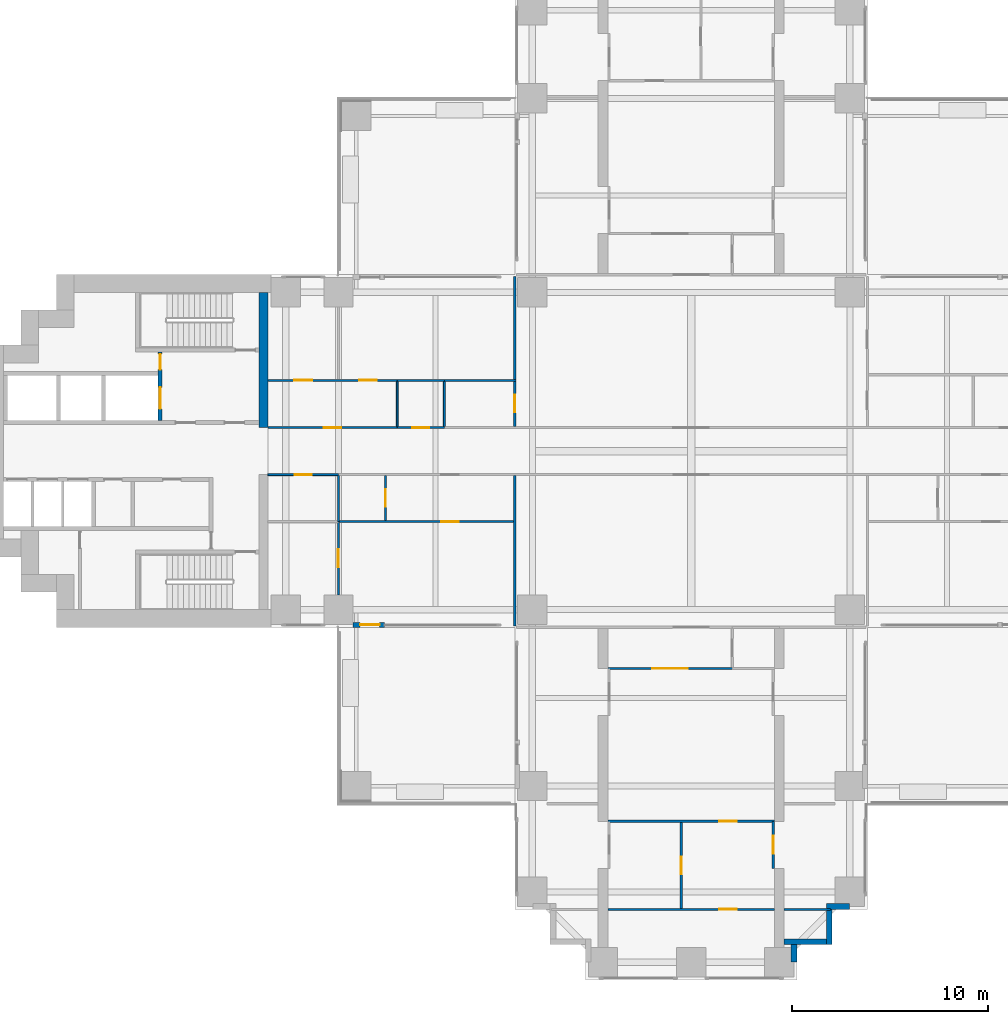
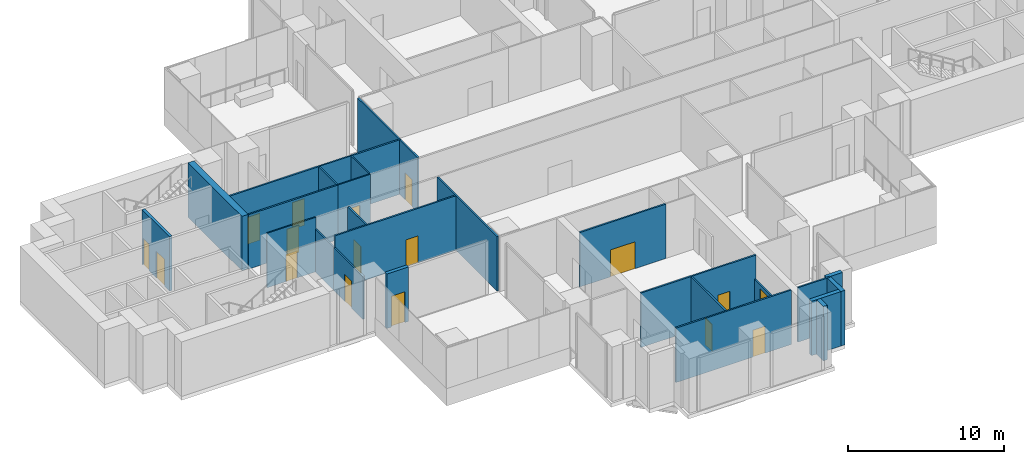
# One storey, part 8 of 15: 27 walls, 17 doors, 17 openings.
"""IFC4 building model written with IfcOpenShell, lengths in metres."""

import ifcopenshell
import ifcopenshell.guid

model = None  # the IFC model being written
_history = None  # IfcOwnerHistory: only IFC2X3 demands one
_inside = {}  # id of a spatial element -> (the spatial element, [elements in it])
_under = {}  # id of a project, library or spatial element -> (it, [spatial elements below it])
_declared = {}  # id of a project -> (the project, [libraries it declares])
_typed = {}  # id of a type object -> (the type object, [elements of that type])
_made_of = {}  # id of a material, layer set ... -> (it, [elements and type objects made of it])


def new_model(schema):
    """Start an empty IFC model of exactly this schema.

    Asked for "IFC4X3", IfcOpenShell would pick the latest addendum, in which some entities
    have other attributes; the version numbers below select the first issue.
    IFC2X3 requires an IfcOwnerHistory on every rooted entity: one is made here for all.
    """
    global model, _history
    if schema == "IFC4X3":
        model = ifcopenshell.file(schema_version=(4, 3, 0, 0))
    else:
        model = ifcopenshell.file(schema=schema)
    _inside.clear()
    _under.clear()
    _declared.clear()
    _typed.clear()
    _made_of.clear()
    _history = None
    if model.schema == "IFC2X3":
        org = make("IfcOrganization", Name="unknown")
        user = make(
            "IfcPersonAndOrganization",
            ThePerson=make("IfcPerson", FamilyName="unknown"),
            TheOrganization=org,
        )
        app = make(
            "IfcApplication",
            ApplicationDeveloper=org,
            Version="unknown",
            ApplicationFullName="unknown",
            ApplicationIdentifier="unknown",
        )
        _history = make(
            "IfcOwnerHistory",
            OwningUser=user,
            OwningApplication=app,
            ChangeAction="ADDED",
            CreationDate=0,
        )
    return model


def make(cls, **values):
    """One entity of the class cls with the attributes given. An attribute that is None is left unset."""
    return model.create_entity(
        cls, **{name: value for name, value in values.items() if value is not None}
    )


def rooted(cls, **values):
    """An entity with a GlobalId (a new one), such as an element, a storey or a relation."""
    return make(cls, GlobalId=ifcopenshell.guid.new(), OwnerHistory=_history, **values)


def si_unit(unit_type, name, prefix=None):
    """IfcSIUnit, for example si_unit("LENGTHUNIT", "METRE", prefix="MILLI")."""
    return make("IfcSIUnit", UnitType=unit_type, Prefix=prefix, Name=name)


def assignment(units):
    """IfcUnitAssignment: the units of a project."""
    return None if units is None else make("IfcUnitAssignment", Units=units)


def point(xyz):
    """IfcCartesianPoint."""
    return None if xyz is None else make("IfcCartesianPoint", Coordinates=xyz)


def direction(xyz):
    """IfcDirection."""
    return None if xyz is None else make("IfcDirection", DirectionRatios=xyz)


def frame(location, z_axis=None, x_axis=None):
    """IfcAxis2Placement3D, a coordinate frame: its origin and axes. An axis left out is left unset."""
    return make(
        "IfcAxis2Placement3D",
        Location=point(location),
        Axis=direction(z_axis),
        RefDirection=direction(x_axis),
    )


def frame_2d(location, x_axis=None):
    """IfcAxis2Placement2D, a coordinate frame in the plane: its origin and x axis."""
    return make(
        "IfcAxis2Placement2D", Location=point(location), RefDirection=direction(x_axis)
    )


def origin():
    """The frame at (0, 0, 0) with its axes left unset."""
    return frame((0.0, 0.0, 0.0))


def place(relative_to, where):
    """IfcLocalPlacement: puts the frame where relative to a parent placement (None: the world)."""
    return make(
        "IfcLocalPlacement", PlacementRelTo=relative_to, RelativePlacement=where
    )


def context(
    kind, dimensions, precision=None, world=None, true_north=None, identifier=None
):
    """IfcGeometricRepresentationContext, for example the 3D "Model" context."""
    return make(
        "IfcGeometricRepresentationContext",
        ContextIdentifier=identifier,
        ContextType=kind,
        CoordinateSpaceDimension=dimensions,
        Precision=precision,
        WorldCoordinateSystem=world,
        TrueNorth=true_north,
    )


def subcontext(parent, identifier, kind, view, scale=None):
    """IfcGeometricRepresentationSubContext, for example "Body" below "Model"."""
    return make(
        "IfcGeometricRepresentationSubContext",
        ContextIdentifier=identifier,
        ContextType=kind,
        ParentContext=parent,
        TargetScale=scale,
        TargetView=view,
    )


def project(units=None, contexts=None):
    """IfcProject with its units and contexts."""
    return rooted(
        "IfcProject",
        Name="project",
        RepresentationContexts=contexts,
        UnitsInContext=assignment(units),
    )


def spatial(cls, under=None, at=None, **own):
    """A site, building, storey or space (cls), placed at a placement, below another one or the project."""
    s = rooted(cls, ObjectPlacement=at, **own)
    if under is not None:
        _under.setdefault(under.id(), (under, []))[1].append(s)
    return s


def profile(cls, at=None, kind="AREA", **sizes):
    """A parametric profile (cls). Its sizes go by their IFC names, for example OverallWidth=200.0."""
    return make(cls, ProfileType=kind, Position=at, **sizes)


def rectangle(**sizes):
    """IfcRectangleProfileDef."""
    return profile("IfcRectangleProfileDef", **sizes)


def extrude(swept, where, along, depth):
    """IfcExtrudedAreaSolid: the profile swept, set in the frame where, extruded along a direction by depth."""
    return make(
        "IfcExtrudedAreaSolid",
        SweptArea=swept,
        Position=where,
        ExtrudedDirection=direction(along),
        Depth=depth,
    )


def shape(context_of_items, identifier, shape_type, items):
    """IfcShapeRepresentation: the items that make up one representation, for example the "Body"."""
    return make(
        "IfcShapeRepresentation",
        ContextOfItems=context_of_items,
        RepresentationIdentifier=identifier,
        RepresentationType=shape_type,
        Items=items,
    )


def material(Name=None, Category=None):
    """IfcMaterial."""
    return make("IfcMaterial", Name=Name, Category=Category)


def layer(
    of_material, thickness, ventilated=None, Name=None, Category=None, Priority=None
):
    """IfcMaterialLayer: one layer of a wall or slab, of a material (None: an air gap)."""
    return make(
        "IfcMaterialLayer",
        Material=of_material,
        LayerThickness=thickness,
        IsVentilated=ventilated,
        Name=Name,
        Category=Category,
        Priority=Priority,
    )


def layer_set(layers, Name=None):
    """IfcMaterialLayerSet."""
    return make("IfcMaterialLayerSet", MaterialLayers=layers, LayerSetName=Name)


def made_of(thing, what):
    """Note that an element or type object is made of a material, layer set ...; save() writes the relation."""
    if what is not None:
        _made_of.setdefault(what.id(), (what, []))[1].append(thing)
    return thing


def type_object(cls, material=None, **own):
    """A type object (cls), such as IfcWallType, which elements share."""
    return made_of(rooted(cls, **own), material)


def element(
    cls,
    number,
    at=None,
    inside=None,
    cuts=None,
    type_object=None,
    material=None,
    context=None,
    identifier="Body",
    shape_type=None,
    held_by="IfcProductDefinitionShape",
    body=None,
    shapes=None,
    **own,
):
    """One element of the class cls, such as IfcWall. Its Tag is "e" and its number.

    at: its placement. inside: the storey or other place that contains it. cuts: it is an
    opening in that element (IfcRelVoidsElement). A single representation is given by context,
    identifier, shape_type and body (its items); several are given by shapes. held_by: the class
    of the entity that holds the representations. save() writes the other relations.
    """
    e = rooted(cls, Tag="e%d" % number, ObjectPlacement=at, **own)
    if body is not None:
        shapes = [shape(context, identifier, shape_type, body)]
    if shapes is not None:
        e.Representation = make(held_by, Representations=shapes)
    if inside is not None:
        _inside.setdefault(inside.id(), (inside, []))[1].append(e)
    if cuts is not None:
        rooted(
            "IfcRelVoidsElement", RelatingBuildingElement=cuts, RelatedOpeningElement=e
        )
    if type_object is not None:
        _typed.setdefault(type_object.id(), (type_object, []))[1].append(e)
    return made_of(e, material)


def fill(opening, filler):
    """IfcRelFillsElement: the door or window that sits in an opening."""
    return rooted(
        "IfcRelFillsElement",
        RelatingOpeningElement=opening,
        RelatedBuildingElement=filler,
    )


def aggregate(whole, parts):
    """IfcRelAggregates: a whole, such as a stair, and the parts it consists of."""
    return rooted("IfcRelAggregates", RelatingObject=whole, RelatedObjects=parts)


def save(model, path):
    """Write the relations noted so far, then the file.

    IfcRelAggregates (storeys below a building ...), IfcRelContainedInSpatialStructure (elements
    in a storey), IfcRelDefinesByType, IfcRelAssociatesMaterial and IfcRelDeclares: one each for
    every whole, place, type object, material and project.
    """
    for whole, parts in _under.values():
        aggregate(whole, parts)
    for where, things in _inside.values():
        rooted(
            "IfcRelContainedInSpatialStructure",
            RelatedElements=things,
            RelatingStructure=where,
        )
    for kind, things in _typed.values():
        rooted("IfcRelDefinesByType", RelatedObjects=things, RelatingType=kind)
    for what, things in _made_of.values():
        rooted("IfcRelAssociatesMaterial", RelatedObjects=things, RelatingMaterial=what)
    for by, libraries in _declared.values():
        rooted("IfcRelDeclares", RelatingContext=by, RelatedDefinitions=libraries)
    model.write(path)


model = new_model("IFC4")

# Units and contexts
model_context = context("Model", 3, precision=1e-05, world=origin(), true_north=direction((0.0, 1.0)))
body_context = subcontext(model_context, "Body", "Model", "MODEL_VIEW")
ifc_project = project(units=[si_unit("LENGTHUNIT", "METRE"), si_unit("AREAUNIT", "SQUARE_METRE"), si_unit("VOLUMEUNIT", "CUBIC_METRE"), si_unit("PLANEANGLEUNIT", "RADIAN"), si_unit("MASSUNIT", "GRAM", prefix="KILO")], contexts=[model_context])

# Site, building, storey
site_placement = place(None, origin())
site = spatial("IfcSite", under=ifc_project, at=site_placement, CompositionType="ELEMENT")
building_placement = place(site_placement, origin())
building = spatial("IfcBuilding", under=site, at=building_placement, Name="Perihelion Cross Residences", CompositionType="ELEMENT")
storey_placement = place(building_placement, frame((0.0, 0.0, 32.0)))
storey = spatial("IfcBuildingStorey", under=building, at=storey_placement, Name="L04", CompositionType="ELEMENT", Elevation=32.0)

# Wall, opening, door
ifc_material_1 = material(Name="Concrete C30/37, bronze-clad", Category="concrete")
ifc_layer_1 = layer(ifc_material_1, 0.25)
ifc_layer_set_1 = layer_set([ifc_layer_1], Name="Bronze-clad pier wall 250")
wall_type_1 = type_object("IfcWallType", Name="Bronze-clad pier wall 250", PredefinedType="SOLIDWALL", material=ifc_layer_set_1)
wall_1_placement = place(storey_placement, frame((-17.25, -8.875, 0.0), z_axis=(0.0, 0.0, 1.0), x_axis=(1.0, 0.0, 0.0)))
wall_1 = element("IfcWall", 1, at=wall_1_placement, inside=storey, type_object=wall_type_1, Name="Wall FW1 L04 west side south bay 2 pier", PredefinedType="SOLIDWALL", context=body_context, shape_type="SweptSolid", body=[
    extrude(rectangle(XDim=1.60009765625, YDim=0.25, at=frame_2d((0.800048828125, 0.0))), origin(), (0.0, 0.0, 1.0), 4.25),
])
opening_1_placement = place(wall_1_placement, frame((0.35009765625, 0.0, 0.0)))
opening_1 = element("IfcOpeningElement", 2, at=opening_1_placement, cuts=wall_1, Name="Opening L04.E05", PredefinedType="OPENING", context=body_context, shape_type="SweptSolid", body=[
    extrude(rectangle(XDim=1.0, YDim=2.39990234375, at=frame_2d((0.5, 1.199951171875))), frame((0.0, 0.135009765625, 0.0), z_axis=(0.0, -1.0, 0.0), x_axis=(1.0, 0.0, 0.0)), (0.0, 0.0, 1.0), 0.27001953125),
])
ifc_material_2 = material(Name="Bronze anodised aluminium, glazed", Category="aluminium")
door_type_1 = type_object("IfcDoorType", Name="Balcony door 1000 x 2400", OperationType="NOTDEFINED", PredefinedType="DOOR", material=ifc_material_2)
door_1_placement = place(opening_1_placement, origin())
door_1 = element("IfcDoor", 3, at=door_1_placement, inside=storey, type_object=door_type_1, Name="Door L04.E05 west side south bay 2", OperationType="SINGLE_SWING_RIGHT", OverallHeight=2.39990234375, OverallWidth=1.0, PredefinedType="DOOR", context=body_context, shape_type="SweptSolid", body=[
    extrude(rectangle(XDim=1.0, YDim=2.39990234375, at=frame_2d((0.5, 1.199951171875))), frame((0.0, 0.02490234375, 0.0), z_axis=(0.0, -1.0, 0.0), x_axis=(1.0, 0.0, 0.0)), (0.0, 0.0, 1.0), 0.050048828125),
])
fill(opening_1, door_1)

# Walls
ifc_material_3 = material(Name="Concrete C30/37, bronze-clad", Category="concrete")
ifc_layer_2 = layer(ifc_material_3, 0.300048828125)
ifc_layer_set_2 = layer_set([ifc_layer_2], Name="Bronze-clad serration wall 300")
wall_type_2 = type_object("IfcWallType", Name="Bronze-clad serration wall 300", PredefinedType="SOLIDWALL", material=ifc_layer_set_2)
wall_2_placement = place(storey_placement, frame((5.25, -26.080078125, 0.0), z_axis=(0.0, 0.0, 1.0), x_axis=(0.0, 1.0, 0.0)))
element("IfcWall", 4, at=wall_2_placement, inside=storey, type_object=wall_type_2, Name="Wall SR1 L04 south corner south-east 1", PredefinedType="SOLIDWALL", context=body_context, shape_type="SweptSolid", body=[
    extrude(rectangle(XDim=0.880126953125, YDim=0.300048828125, at=frame_2d((0.43994140625, 0.0))), origin(), (0.0, 0.0, 1.0), 4.25),
])
wall_3_placement = place(storey_placement, frame((4.75, -25.050048828125, 0.0), z_axis=(0.0, 0.0, 1.0), x_axis=(1.0, 0.0, 0.0)))
element("IfcWall", 5, at=wall_3_placement, inside=storey, type_object=wall_type_2, Name="Wall SR1 L04 south corner south-east 2", PredefinedType="SOLIDWALL", context=body_context, shape_type="SweptSolid", body=[
    extrude(rectangle(XDim=2.14990234375, YDim=0.300048828125, at=frame_2d((1.074951171875, 0.0))), origin(), (0.0, 0.0, 1.0), 4.25),
])
wall_4_placement = place(storey_placement, frame((7.050048828125, -25.199951171875, 0.0), z_axis=(0.0, 0.0, 1.0), x_axis=(0.0, 1.0, 0.0)))
element("IfcWall", 6, at=wall_4_placement, inside=storey, type_object=wall_type_2, Name="Wall SR1 L04 south corner south-east 3", PredefinedType="SOLIDWALL", context=body_context, shape_type="SweptSolid", body=[
    extrude(rectangle(XDim=1.800048828125, YDim=0.300048828125, at=frame_2d((0.89990234375, 0.0))), origin(), (0.0, 0.0, 1.0), 4.25),
])
wall_5_placement = place(storey_placement, frame((6.89990234375, -23.25, 0.0), z_axis=(0.0, 0.0, 1.0), x_axis=(1.0, 0.0, 0.0)))
element("IfcWall", 7, at=wall_5_placement, inside=storey, type_object=wall_type_2, Name="Wall SR1 L04 south corner south-east 4", PredefinedType="SOLIDWALL", context=body_context, shape_type="SweptSolid", body=[
    extrude(rectangle(XDim=1.18017578125, YDim=0.300048828125, at=frame_2d((0.590087890625, 0.0))), origin(), (0.0, 0.0, 1.0), 4.25),
])
ifc_material_4 = material(Name="Concrete C60/75", Category="concrete")
ifc_layer_3 = layer(ifc_material_4, 0.449951171875)
ifc_layer_set_3 = layer_set([ifc_layer_3], Name="Core wall, inner 450")
wall_type_3 = type_object("IfcWallType", Name="Core wall, inner 450", PredefinedType="SHEAR", material=ifc_layer_set_3)
wall_6_placement = place(storey_placement, frame((-21.824951171875, 1.199951171875, 0.0), z_axis=(0.0, 0.0, 1.0), x_axis=(0.0, 1.0, 0.0)))
element("IfcWall", 8, at=wall_6_placement, inside=storey, type_object=wall_type_3, Name="West core core wall, inner", PredefinedType="SHEAR", context=body_context, shape_type="SweptSolid", body=[
    extrude(rectangle(XDim=6.900146484375, YDim=0.449951171875, at=frame_2d((3.4501953125, 0.0))), origin(), (0.0, 0.0, 1.0), 4.25),
])

# Wall, opening, door
ifc_material_5 = material(Name="Plasterboard partition")
ifc_layer_4 = layer(ifc_material_5, 0.1201171875)
ifc_layer_set_4 = layer_set([ifc_layer_4], Name="Infill panel 120")
wall_type_4 = type_object("IfcWallType", Name="Infill panel 120", PredefinedType="PARTITIONING", material=ifc_layer_set_4)
wall_7_placement = place(storey_placement, frame((4.18994140625, -18.89990234375, 0.0), z_axis=(0.0, 0.0, 1.0), x_axis=(0.0, -1.0, 0.0)))
wall_7 = element("IfcWall", 9, at=wall_7_placement, inside=storey, type_object=wall_type_4, Name="Partition L04 WI06", PredefinedType="PARTITIONING", context=body_context, shape_type="SweptSolid", body=[
    extrude(rectangle(XDim=2.400146484375, YDim=0.1201171875, at=frame_2d((1.2001953125, 0.0))), origin(), (0.0, 0.0, 1.0), 2.39990234375),
])
opening_2_placement = place(wall_7_placement, frame((0.75, 0.0, 0.0)))
opening_2 = element("IfcOpeningElement", 10, at=opening_2_placement, cuts=wall_7, Name="Opening L04.A38", PredefinedType="OPENING", context=body_context, shape_type="SweptSolid", body=[
    extrude(rectangle(XDim=0.89990234375, YDim=2.10009765625, at=frame_2d((0.449951171875, 1.050048828125))), frame((0.0, 0.070068359375, 0.0), z_axis=(0.0, -1.0, 0.0), x_axis=(1.0, 0.0, 0.0)), (0.0, 0.0, 1.0), 0.14013671875),
])
ifc_material_6 = material(Name="Timber door leaf", Category="wood")
door_type_2 = type_object("IfcDoorType", Name="Interior room door 900 x 2100", OperationType="SINGLE_SWING_LEFT", PredefinedType="DOOR", material=ifc_material_6)
door_2_placement = place(opening_2_placement, origin())
door_2 = element("IfcDoor", 11, at=door_2_placement, inside=storey, type_object=door_type_2, Name="Door L04.A38", OperationType="SINGLE_SWING_LEFT", OverallHeight=2.10009765625, OverallWidth=0.89990234375, PredefinedType="DOOR", context=body_context, shape_type="SweptSolid", body=[
    extrude(rectangle(XDim=0.89990234375, YDim=2.10009765625, at=frame_2d((0.449951171875, 1.050048828125))), frame((0.0, 0.02490234375, 0.0), z_axis=(0.0, -1.0, 0.0), x_axis=(1.0, 0.0, 0.0)), (0.0, 0.0, 1.0), 0.050048828125),
])
fill(opening_2, door_2)

ifc_material_7 = material(Name="Plasterboard partition")
ifc_layer_5 = layer(ifc_material_7, 0.1201171875)
ifc_layer_set_5 = layer_set([ifc_layer_5], Name="Partition wall 120")
wall_type_5 = type_object("IfcWallType", Name="Partition wall 120", PredefinedType="PARTITIONING", material=ifc_layer_set_5)
wall_8_placement = place(storey_placement, frame((-21.60009765625, 1.199951171875, 0.0), z_axis=(0.0, 0.0, 1.0), x_axis=(1.0, 0.0, 0.0)))
wall_8 = element("IfcWall", 12, at=wall_8_placement, inside=storey, type_object=wall_type_5, Name="Partition L04 W006", PredefinedType="PARTITIONING", context=body_context, shape_type="SweptSolid", body=[
    extrude(rectangle(XDim=6.60009765625, YDim=0.1201171875, at=frame_2d((3.300048828125, 0.0))), origin(), (0.0, 0.0, 1.0), 4.25),
])
opening_3_placement = place(wall_8_placement, frame((2.85009765625, 0.0, 0.0)))
opening_3 = element("IfcOpeningElement", 13, at=opening_3_placement, cuts=wall_8, Name="Opening L04.A08", PredefinedType="OPENING", context=body_context, shape_type="SweptSolid", body=[
    extrude(rectangle(XDim=0.89990234375, YDim=2.10009765625, at=frame_2d((0.449951171875, 1.050048828125))), frame((0.0, 0.070068359375, 0.0), z_axis=(0.0, -1.0, 0.0), x_axis=(1.0, 0.0, 0.0)), (0.0, 0.0, 1.0), 0.14013671875),
])
door_3_placement = place(opening_3_placement, origin())
door_3 = element("IfcDoor", 14, at=door_3_placement, inside=storey, type_object=door_type_2, Name="Door L04.A08", OperationType="SINGLE_SWING_RIGHT", OverallHeight=2.10009765625, OverallWidth=0.89990234375, PredefinedType="DOOR", context=body_context, shape_type="SweptSolid", body=[
    extrude(rectangle(XDim=0.89990234375, YDim=2.10009765625, at=frame_2d((0.449951171875, 1.050048828125))), frame((0.0, 0.02490234375, 0.0), z_axis=(0.0, -1.0, 0.0), x_axis=(1.0, 0.0, 0.0)), (0.0, 0.0, 1.0), 0.050048828125),
])
fill(opening_3, door_3)

wall_9_placement = place(storey_placement, frame((-9.0, 1.260009765625, 0.0), z_axis=(0.0, 0.0, 1.0), x_axis=(0.0, 1.0, 0.0)))
wall_9 = element("IfcWall", 15, at=wall_9_placement, inside=storey, type_object=wall_type_5, Name="Partition L04 W009", PredefinedType="PARTITIONING", context=body_context, shape_type="SweptSolid", body=[
    extrude(rectangle(XDim=7.659912109375, YDim=0.1201171875, at=frame_2d((3.830078125, 0.0))), origin(), (0.0, 0.0, 1.0), 4.25),
])
opening_4_placement = place(wall_9_placement, frame((0.719970703125, 0.0, 0.0)))
opening_4 = element("IfcOpeningElement", 16, at=opening_4_placement, cuts=wall_9, Name="Opening L04.A11", PredefinedType="OPENING", context=body_context, shape_type="SweptSolid", body=[
    extrude(rectangle(XDim=0.89990234375, YDim=2.10009765625, at=frame_2d((0.449951171875, 1.050048828125))), frame((0.0, 0.070068359375, 0.0), z_axis=(0.0, -1.0, 0.0), x_axis=(1.0, 0.0, 0.0)), (0.0, 0.0, 1.0), 0.14013671875),
])
door_4_placement = place(opening_4_placement, origin())
door_4 = element("IfcDoor", 17, at=door_4_placement, inside=storey, type_object=door_type_2, Name="Door L04.A11", OperationType="SINGLE_SWING_RIGHT", OverallHeight=2.10009765625, OverallWidth=0.89990234375, PredefinedType="DOOR", context=body_context, shape_type="SweptSolid", body=[
    extrude(rectangle(XDim=0.89990234375, YDim=2.10009765625, at=frame_2d((0.449951171875, 1.050048828125))), frame((0.0, 0.02490234375, 0.0), z_axis=(0.0, -1.0, 0.0), x_axis=(1.0, 0.0, 0.0)), (0.0, 0.0, 1.0), 0.050048828125),
])
fill(opening_4, door_4)

# Walls
wall_10_placement = place(storey_placement, frame((-9.0, -8.919921875, 0.0), z_axis=(0.0, 0.0, 1.0), x_axis=(0.0, 1.0, 0.0)))
element("IfcWall", 18, at=wall_10_placement, inside=storey, type_object=wall_type_5, Name="Partition L04 W014", PredefinedType="PARTITIONING", context=body_context, shape_type="SweptSolid", body=[
    extrude(rectangle(XDim=7.659912109375, YDim=0.1201171875, at=frame_2d((3.830078125, 0.0))), origin(), (0.0, 0.0, 1.0), 4.25),
])
wall_11_placement = place(storey_placement, frame((-8.93994140625, 3.60009765625, 0.0), z_axis=(0.0, 0.0, 1.0), x_axis=(-1.0, 0.0, 0.0)))
element("IfcWall", 19, at=wall_11_placement, inside=storey, type_object=wall_type_5, Name="Partition L04 W027", PredefinedType="PARTITIONING", context=body_context, shape_type="SweptSolid", body=[
    extrude(rectangle(XDim=3.66015625, YDim=0.1201171875, at=frame_2d((1.830078125, 0.0))), origin(), (0.0, 0.0, 1.0), 4.25),
])

# Wall, openings, doors
wall_12_placement = place(storey_placement, frame((-15.0, 3.60009765625, 0.0), z_axis=(0.0, 0.0, 1.0), x_axis=(-1.0, 0.0, 0.0)))
wall_12 = element("IfcWall", 20, at=wall_12_placement, inside=storey, type_object=wall_type_5, Name="Partition L04 W029", PredefinedType="PARTITIONING", context=body_context, shape_type="SweptSolid", body=[
    extrude(rectangle(XDim=6.60009765625, YDim=0.1201171875, at=frame_2d((3.300048828125, 0.0))), origin(), (0.0, 0.0, 1.0), 4.25),
])
opening_5_placement = place(wall_12_placement, frame((4.35009765625, 0.0, 0.0)))
opening_5 = element("IfcOpeningElement", 21, at=opening_5_placement, cuts=wall_12, Name="Opening L04.A15", PredefinedType="OPENING", context=body_context, shape_type="SweptSolid", body=[
    extrude(rectangle(XDim=0.89990234375, YDim=2.10009765625, at=frame_2d((0.449951171875, 1.050048828125))), frame((0.0, 0.070068359375, 0.0), z_axis=(0.0, -1.0, 0.0), x_axis=(1.0, 0.0, 0.0)), (0.0, 0.0, 1.0), 0.14013671875),
])
opening_6_placement = place(wall_12_placement, frame((1.050048828125, 0.0, 0.0)))
opening_6 = element("IfcOpeningElement", 22, at=opening_6_placement, cuts=wall_12, Name="Opening L04.A18", PredefinedType="OPENING", context=body_context, shape_type="SweptSolid", body=[
    extrude(rectangle(XDim=0.89990234375, YDim=2.10009765625, at=frame_2d((0.449951171875, 1.050048828125))), frame((0.0, 0.070068359375, 0.0), z_axis=(0.0, -1.0, 0.0), x_axis=(1.0, 0.0, 0.0)), (0.0, 0.0, 1.0), 0.14013671875),
])
door_5_placement = place(opening_5_placement, origin())
door_5 = element("IfcDoor", 23, at=door_5_placement, inside=storey, type_object=door_type_2, Name="Door L04.A15", OperationType="SINGLE_SWING_LEFT", OverallHeight=2.10009765625, OverallWidth=0.89990234375, PredefinedType="DOOR", context=body_context, shape_type="SweptSolid", body=[
    extrude(rectangle(XDim=0.89990234375, YDim=2.10009765625, at=frame_2d((0.449951171875, 1.050048828125))), frame((0.0, 0.02490234375, 0.0), z_axis=(0.0, -1.0, 0.0), x_axis=(1.0, 0.0, 0.0)), (0.0, 0.0, 1.0), 0.050048828125),
])
fill(opening_5, door_5)
door_6_placement = place(opening_6_placement, origin())
door_6 = element("IfcDoor", 24, at=door_6_placement, inside=storey, type_object=door_type_2, Name="Door L04.A18", OperationType="SINGLE_SWING_RIGHT", OverallHeight=2.10009765625, OverallWidth=0.89990234375, PredefinedType="DOOR", context=body_context, shape_type="SweptSolid", body=[
    extrude(rectangle(XDim=0.89990234375, YDim=2.10009765625, at=frame_2d((0.449951171875, 1.050048828125))), frame((0.0, 0.02490234375, 0.0), z_axis=(0.0, -1.0, 0.0), x_axis=(1.0, 0.0, 0.0)), (0.0, 0.0, 1.0), 0.050048828125),
])
fill(opening_6, door_6)

# Wall, opening, door
wall_13_placement = place(storey_placement, frame((-18.0, -7.35009765625, 0.0), z_axis=(0.0, 0.0, 1.0), x_axis=(0.0, 1.0, 0.0)))
wall_13 = element("IfcWall", 25, at=wall_13_placement, inside=storey, type_object=wall_type_5, Name="Partition L04 W032", PredefinedType="PARTITIONING", context=body_context, shape_type="SweptSolid", body=[
    extrude(rectangle(XDim=3.75, YDim=0.1201171875, at=frame_2d((1.875, 0.0))), origin(), (0.0, 0.0, 1.0), 3.345947265625),
])
opening_7_placement = place(wall_13_placement, frame((1.425048828125, 0.0, 0.0)))
opening_7 = element("IfcOpeningElement", 26, at=opening_7_placement, cuts=wall_13, Name="Opening L04.A12", PredefinedType="OPENING", context=body_context, shape_type="SweptSolid", body=[
    extrude(rectangle(XDim=0.89990234375, YDim=2.10009765625, at=frame_2d((0.449951171875, 1.050048828125))), frame((0.0, 0.070068359375, 0.0), z_axis=(0.0, -1.0, 0.0), x_axis=(1.0, 0.0, 0.0)), (0.0, 0.0, 1.0), 0.14013671875),
])
door_7_placement = place(opening_7_placement, origin())
door_7 = element("IfcDoor", 27, at=door_7_placement, inside=storey, type_object=door_type_2, Name="Door L04.A12", OperationType="SINGLE_SWING_RIGHT", OverallHeight=2.10009765625, OverallWidth=0.89990234375, PredefinedType="DOOR", context=body_context, shape_type="SweptSolid", body=[
    extrude(rectangle(XDim=0.89990234375, YDim=2.10009765625, at=frame_2d((0.449951171875, 1.050048828125))), frame((0.0, 0.02490234375, 0.0), z_axis=(0.0, -1.0, 0.0), x_axis=(1.0, 0.0, 0.0)), (0.0, 0.0, 1.0), 0.050048828125),
])
fill(opening_7, door_7)

wall_14_placement = place(storey_placement, frame((-18.0, -3.60009765625, 0.0), z_axis=(0.0, 0.0, 1.0), x_axis=(1.0, 0.0, 0.0)))
wall_14 = element("IfcWall", 28, at=wall_14_placement, inside=storey, type_object=wall_type_5, Name="Partition L04 W033", PredefinedType="PARTITIONING", context=body_context, shape_type="SweptSolid", body=[
    extrude(rectangle(XDim=9.06005859375, YDim=0.1201171875, at=frame_2d((4.530029296875, 0.0))), origin(), (0.0, 0.0, 1.0), 4.25),
])
opening_8_placement = place(wall_14_placement, frame((5.25, 0.0, 0.0)))
opening_8 = element("IfcOpeningElement", 29, at=opening_8_placement, cuts=wall_14, Name="Opening L04.A17", PredefinedType="OPENING", context=body_context, shape_type="SweptSolid", body=[
    extrude(rectangle(XDim=0.89990234375, YDim=2.10009765625, at=frame_2d((0.449951171875, 1.050048828125))), frame((0.0, 0.070068359375, 0.0), z_axis=(0.0, -1.0, 0.0), x_axis=(1.0, 0.0, 0.0)), (0.0, 0.0, 1.0), 0.14013671875),
])
door_8_placement = place(opening_8_placement, origin())
door_8 = element("IfcDoor", 30, at=door_8_placement, inside=storey, type_object=door_type_2, Name="Door L04.A17", OperationType="SINGLE_SWING_RIGHT", OverallHeight=2.10009765625, OverallWidth=0.89990234375, PredefinedType="DOOR", context=body_context, shape_type="SweptSolid", body=[
    extrude(rectangle(XDim=0.89990234375, YDim=2.10009765625, at=frame_2d((0.449951171875, 1.050048828125))), frame((0.0, 0.02490234375, 0.0), z_axis=(0.0, -1.0, 0.0), x_axis=(1.0, 0.0, 0.0)), (0.0, 0.0, 1.0), 0.050048828125),
])
fill(opening_8, door_8)

wall_15_placement = place(storey_placement, frame((-15.60009765625, -3.5400390625, 0.0), z_axis=(0.0, 0.0, 1.0), x_axis=(0.0, 1.0, 0.0)))
wall_15 = element("IfcWall", 31, at=wall_15_placement, inside=storey, type_object=wall_type_5, Name="Partition L04 W035", PredefinedType="PARTITIONING", context=body_context, shape_type="SweptSolid", body=[
    extrude(rectangle(XDim=2.280029296875, YDim=0.1201171875, at=frame_2d((1.14013671875, 0.0))), origin(), (0.0, 0.0, 1.0), 4.25),
])
opening_9_placement = place(wall_15_placement, frame((0.68994140625, 0.0, 0.0)))
opening_9 = element("IfcOpeningElement", 32, at=opening_9_placement, cuts=wall_15, Name="Opening L04.A13", PredefinedType="OPENING", context=body_context, shape_type="SweptSolid", body=[
    extrude(rectangle(XDim=0.89990234375, YDim=2.10009765625, at=frame_2d((0.449951171875, 1.050048828125))), frame((0.0, 0.070068359375, 0.0), z_axis=(0.0, -1.0, 0.0), x_axis=(1.0, 0.0, 0.0)), (0.0, 0.0, 1.0), 0.14013671875),
])
door_9_placement = place(opening_9_placement, origin())
door_9 = element("IfcDoor", 33, at=door_9_placement, inside=storey, type_object=door_type_2, Name="Door L04.A13", OperationType="SINGLE_SWING_LEFT", OverallHeight=2.10009765625, OverallWidth=0.89990234375, PredefinedType="DOOR", context=body_context, shape_type="SweptSolid", body=[
    extrude(rectangle(XDim=0.89990234375, YDim=2.10009765625, at=frame_2d((0.449951171875, 1.050048828125))), frame((0.0, 0.02490234375, 0.0), z_axis=(0.0, -1.0, 0.0), x_axis=(1.0, 0.0, 0.0)), (0.0, 0.0, 1.0), 0.050048828125),
])
fill(opening_9, door_9)

wall_16_placement = place(storey_placement, frame((2.10009765625, -11.10009765625, 0.0), z_axis=(0.0, 0.0, 1.0), x_axis=(-1.0, 0.0, 0.0)))
wall_16 = element("IfcWall", 34, at=wall_16_placement, inside=storey, type_object=wall_type_5, Name="Partition L04 W048", PredefinedType="PARTITIONING", context=body_context, shape_type="SweptSolid", body=[
    extrude(rectangle(XDim=6.35009765625, YDim=0.1201171875, at=frame_2d((3.175048828125, 0.0))), origin(), (0.0, 0.0, 1.0), 4.25),
])
opening_10_placement = place(wall_16_placement, frame((2.27490234375, 0.0, 0.0)))
opening_10 = element("IfcOpeningElement", 35, at=opening_10_placement, cuts=wall_16, Name="Opening L04.A29", PredefinedType="OPENING", context=body_context, shape_type="SweptSolid", body=[
    extrude(rectangle(XDim=1.800048828125, YDim=2.10009765625, at=frame_2d((0.89990234375, 1.050048828125))), frame((0.0, 0.070068359375, 0.0), z_axis=(0.0, -1.0, 0.0), x_axis=(1.0, 0.0, 0.0)), (0.0, 0.0, 1.0), 0.14013671875),
])
ifc_material_8 = material(Name="Glazed timber door leaf", Category="wood")
door_type_3 = type_object("IfcDoorType", Name="Interior double leaf door 1800 x 2100", OperationType="DOUBLE_DOOR_SINGLE_SWING", PredefinedType="DOOR", material=ifc_material_8)
door_10_placement = place(opening_10_placement, origin())
door_10 = element("IfcDoor", 36, at=door_10_placement, inside=storey, type_object=door_type_3, Name="Door L04.A29", OperationType="SINGLE_SWING_LEFT", OverallHeight=2.10009765625, OverallWidth=1.800048828125, PredefinedType="DOOR", context=body_context, shape_type="SweptSolid", body=[
    extrude(rectangle(XDim=1.800048828125, YDim=2.10009765625, at=frame_2d((0.89990234375, 1.050048828125))), frame((0.0, 0.02490234375, 0.0), z_axis=(0.0, -1.0, 0.0), x_axis=(1.0, 0.0, 0.0)), (0.0, 0.0, 1.0), 0.050048828125),
])
fill(opening_10, door_10)

wall_17_placement = place(storey_placement, frame((4.25, -18.89990234375, 0.0), z_axis=(0.0, 0.0, 1.0), x_axis=(-1.0, 0.0, 0.0)))
wall_17 = element("IfcWall", 37, at=wall_17_placement, inside=storey, type_object=wall_type_5, Name="Partition L04 W050", PredefinedType="PARTITIONING", context=body_context, shape_type="SweptSolid", body=[
    extrude(rectangle(XDim=8.5, YDim=0.1201171875, at=frame_2d((4.25, 0.0))), origin(), (0.0, 0.0, 1.0), 4.25),
])
opening_11_placement = place(wall_17_placement, frame((1.925048828125, 0.0, 0.0)))
opening_11 = element("IfcOpeningElement", 38, at=opening_11_placement, cuts=wall_17, Name="Opening L04.A30", PredefinedType="OPENING", context=body_context, shape_type="SweptSolid", body=[
    extrude(rectangle(XDim=0.89990234375, YDim=2.10009765625, at=frame_2d((0.449951171875, 1.050048828125))), frame((0.0, 0.070068359375, 0.0), z_axis=(0.0, -1.0, 0.0), x_axis=(1.0, 0.0, 0.0)), (0.0, 0.0, 1.0), 0.14013671875),
])
door_11_placement = place(opening_11_placement, origin())
door_11 = element("IfcDoor", 39, at=door_11_placement, inside=storey, type_object=door_type_2, Name="Door L04.A30", OperationType="SINGLE_SWING_LEFT", OverallHeight=2.10009765625, OverallWidth=0.89990234375, PredefinedType="DOOR", context=body_context, shape_type="SweptSolid", body=[
    extrude(rectangle(XDim=0.89990234375, YDim=2.10009765625, at=frame_2d((0.449951171875, 1.050048828125))), frame((0.0, 0.02490234375, 0.0), z_axis=(0.0, -1.0, 0.0), x_axis=(1.0, 0.0, 0.0)), (0.0, 0.0, 1.0), 0.050048828125),
])
fill(opening_11, door_11)

wall_18_placement = place(storey_placement, frame((-0.5, -23.340087890625, 0.0), z_axis=(0.0, 0.0, 1.0), x_axis=(0.0, 1.0, 0.0)))
wall_18 = element("IfcWall", 40, at=wall_18_placement, inside=storey, type_object=wall_type_5, Name="Partition L04 W051", PredefinedType="PARTITIONING", context=body_context, shape_type="SweptSolid", body=[
    extrude(rectangle(XDim=4.380126953125, YDim=0.1201171875, at=frame_2d((2.18994140625, 0.0))), origin(), (0.0, 0.0, 1.0), 4.25),
])
opening_12_placement = place(wall_18_placement, frame((1.739990234375, 0.0, 0.0)))
opening_12 = element("IfcOpeningElement", 41, at=opening_12_placement, cuts=wall_18, Name="Opening L04.A31", PredefinedType="OPENING", context=body_context, shape_type="SweptSolid", body=[
    extrude(rectangle(XDim=0.89990234375, YDim=2.10009765625, at=frame_2d((0.449951171875, 1.050048828125))), frame((0.0, 0.070068359375, 0.0), z_axis=(0.0, -1.0, 0.0), x_axis=(1.0, 0.0, 0.0)), (0.0, 0.0, 1.0), 0.14013671875),
])
door_12_placement = place(opening_12_placement, origin())
door_12 = element("IfcDoor", 42, at=door_12_placement, inside=storey, type_object=door_type_2, Name="Door L04.A31", OperationType="SINGLE_SWING_RIGHT", OverallHeight=2.10009765625, OverallWidth=0.89990234375, PredefinedType="DOOR", context=body_context, shape_type="SweptSolid", body=[
    extrude(rectangle(XDim=0.89990234375, YDim=2.10009765625, at=frame_2d((0.449951171875, 1.050048828125))), frame((0.0, 0.02490234375, 0.0), z_axis=(0.0, -1.0, 0.0), x_axis=(1.0, 0.0, 0.0)), (0.0, 0.0, 1.0), 0.050048828125),
])
fill(opening_12, door_12)

wall_19_placement = place(storey_placement, frame((4.25, -23.39990234375, 0.0), z_axis=(0.0, 0.0, 1.0), x_axis=(-1.0, 0.0, 0.0)))
wall_19 = element("IfcWall", 43, at=wall_19_placement, inside=storey, type_object=wall_type_5, Name="Partition L04 W052", PredefinedType="PARTITIONING", context=body_context, shape_type="SweptSolid", body=[
    extrude(rectangle(XDim=8.5, YDim=0.1201171875, at=frame_2d((4.25, 0.0))), origin(), (0.0, 0.0, 1.0), 4.25),
])
opening_13_placement = place(wall_19_placement, frame((1.925048828125, 0.0, 0.0)))
opening_13 = element("IfcOpeningElement", 44, at=opening_13_placement, cuts=wall_19, Name="Opening L04.A32", PredefinedType="OPENING", context=body_context, shape_type="SweptSolid", body=[
    extrude(rectangle(XDim=0.89990234375, YDim=2.10009765625, at=frame_2d((0.449951171875, 1.050048828125))), frame((0.0, 0.070068359375, 0.0), z_axis=(0.0, -1.0, 0.0), x_axis=(1.0, 0.0, 0.0)), (0.0, 0.0, 1.0), 0.14013671875),
])
door_13_placement = place(opening_13_placement, origin())
door_13 = element("IfcDoor", 45, at=door_13_placement, inside=storey, type_object=door_type_2, Name="Door L04.A32", OperationType="SINGLE_SWING_RIGHT", OverallHeight=2.10009765625, OverallWidth=0.89990234375, PredefinedType="DOOR", context=body_context, shape_type="SweptSolid", body=[
    extrude(rectangle(XDim=0.89990234375, YDim=2.10009765625, at=frame_2d((0.449951171875, 1.050048828125))), frame((0.0, 0.02490234375, 0.0), z_axis=(0.0, -1.0, 0.0), x_axis=(1.0, 0.0, 0.0)), (0.0, 0.0, 1.0), 0.050048828125),
])
fill(opening_13, door_13)

# Wall
wall_20_placement = place(storey_placement, frame((7.1201171875, -23.39990234375, 0.0), z_axis=(0.0, 0.0, 1.0), x_axis=(-1.0, 0.0, 0.0)))
element("IfcWall", 46, at=wall_20_placement, inside=storey, type_object=wall_type_5, Name="Partition L04 W054", PredefinedType="PARTITIONING", context=body_context, shape_type="SweptSolid", body=[
    extrude(rectangle(XDim=2.3701171875, YDim=0.1201171875, at=frame_2d((1.18505859375, 0.0))), origin(), (0.0, 0.0, 1.0), 4.25),
])

# Wall, openings, doors
ifc_material_9 = material(Name="Concrete C50/60", Category="concrete")
ifc_layer_6 = layer(ifc_material_9, 0.199951171875)
ifc_layer_set_6 = layer_set([ifc_layer_6], Name="Shaft wall 200")
wall_type_6 = type_object("IfcWallType", Name="Shaft wall 200", PredefinedType="SOLIDWALL", material=ifc_layer_set_6)
wall_21_placement = place(storey_placement, frame((-27.10009765625, 1.550048828125, 0.0), z_axis=(0.0, 0.0, 1.0), x_axis=(0.0, 1.0, 0.0)))
wall_21 = element("IfcWall", 47, at=wall_21_placement, inside=storey, type_object=wall_type_6, Name="West core shaft wall", PredefinedType="SOLIDWALL", context=body_context, shape_type="SweptSolid", body=[
    extrude(rectangle(XDim=3.5, YDim=0.199951171875, at=frame_2d((1.75, 0.0))), origin(), (0.0, 0.0, 1.0), 4.25),
])
opening_14_placement = place(wall_21_placement, frame((0.60009765625, 0.0, 0.0)))
opening_14 = element("IfcOpeningElement", 48, at=opening_14_placement, cuts=wall_21, Name="Opening L04.C14", PredefinedType="OPENING", context=body_context, shape_type="SweptSolid", body=[
    extrude(rectangle(XDim=1.10009765625, YDim=2.10009765625, at=frame_2d((0.550048828125, 1.050048828125))), frame((0.0, 0.10986328125, 0.0), z_axis=(0.0, -1.0, 0.0), x_axis=(1.0, 0.0, 0.0)), (0.0, 0.0, 1.0), 0.219970703125),
])
opening_15_placement = place(wall_21_placement, frame((2.60009765625, 0.0, 0.0)))
opening_15 = element("IfcOpeningElement", 49, at=opening_15_placement, cuts=wall_21, Name="Opening L04.C24", PredefinedType="OPENING", context=body_context, shape_type="SweptSolid", body=[
    extrude(rectangle(XDim=0.800048828125, YDim=2.10009765625, at=frame_2d((0.39990234375, 1.050048828125))), frame((0.0, 0.10986328125, 0.0), z_axis=(0.0, -1.0, 0.0), x_axis=(1.0, 0.0, 0.0)), (0.0, 0.0, 1.0), 0.219970703125),
])
ifc_material_10 = material(Name="Stainless steel", Category="steel")
door_type_4 = type_object("IfcDoorType", Name="Landing door, firefighting lift 1100", OperationType="DOUBLE_DOOR_SLIDING", PredefinedType="DOOR", material=ifc_material_10)
door_14_placement = place(opening_14_placement, origin())
door_14 = element("IfcDoor", 50, at=door_14_placement, inside=storey, type_object=door_type_4, Name="Landing door, West core firefighting and service lift", OperationType="DOUBLE_DOOR_SLIDING", OverallHeight=2.10009765625, OverallWidth=1.10009765625, PredefinedType="DOOR", context=body_context, shape_type="SweptSolid", body=[
    extrude(rectangle(XDim=1.10009765625, YDim=2.10009765625, at=frame_2d((0.550048828125, 1.050048828125))), frame((0.0, 0.02490234375, 0.0), z_axis=(0.0, -1.0, 0.0), x_axis=(1.0, 0.0, 0.0)), (0.0, 0.0, 1.0), 0.050048828125),
])
fill(opening_14, door_14)
ifc_material_11 = material(Name="Steel, powder coated", Category="steel")
door_type_5 = type_object("IfcDoorType", Name="Riser door 800", OperationType="SINGLE_SWING_LEFT", PredefinedType="DOOR", material=ifc_material_11)
door_15_placement = place(opening_15_placement, origin())
door_15 = element("IfcDoor", 51, at=door_15_placement, inside=storey, type_object=door_type_5, Name="West core riser door", OperationType="SINGLE_SWING_LEFT", OverallHeight=2.10009765625, OverallWidth=0.800048828125, PredefinedType="DOOR", context=body_context, shape_type="SweptSolid", body=[
    extrude(rectangle(XDim=0.800048828125, YDim=2.10009765625, at=frame_2d((0.39990234375, 1.050048828125))), frame((0.0, 0.02490234375, 0.0), z_axis=(0.0, -1.0, 0.0), x_axis=(1.0, 0.0, 0.0)), (0.0, 0.0, 1.0), 0.050048828125),
])
fill(opening_15, door_15)

# Wall, opening, door
ifc_material_12 = material(Name="Plasterboard partition")
ifc_layer_7 = layer(ifc_material_12, 0.10009765625)
ifc_layer_set_7 = layer_set([ifc_layer_7], Name="Wet room wall 100")
wall_type_7 = type_object("IfcWallType", Name="Wet room wall 100", PredefinedType="PARTITIONING", material=ifc_layer_set_7)
wall_22_placement = place(storey_placement, frame((-15.0, 1.199951171875, 0.0), z_axis=(0.0, 0.0, 1.0), x_axis=(1.0, 0.0, 0.0)))
wall_22 = element("IfcWall", 52, at=wall_22_placement, inside=storey, type_object=wall_type_7, Name="Partition L04 W005", PredefinedType="PARTITIONING", context=body_context, shape_type="SweptSolid", body=[
    extrude(rectangle(XDim=2.39990234375, YDim=0.10009765625, at=frame_2d((1.199951171875, 0.0))), origin(), (0.0, 0.0, 1.0), 4.25),
])
opening_16_placement = place(wall_22_placement, frame((0.77490234375, 0.0, 0.0)))
opening_16 = element("IfcOpeningElement", 53, at=opening_16_placement, cuts=wall_22, Name="Opening L04.A07", PredefinedType="OPENING", context=body_context, shape_type="SweptSolid", body=[
    extrude(rectangle(XDim=0.85009765625, YDim=2.10009765625, at=frame_2d((0.425048828125, 1.050048828125))), frame((0.0, 0.06005859375, 0.0), z_axis=(0.0, -1.0, 0.0), x_axis=(1.0, 0.0, 0.0)), (0.0, 0.0, 1.0), 0.1201171875),
])
ifc_material_13 = material(Name="Timber door leaf", Category="wood")
door_type_6 = type_object("IfcDoorType", Name="Interior bathroom door 850 x 2100", OperationType="SINGLE_SWING_LEFT", PredefinedType="DOOR", material=ifc_material_13)
door_16_placement = place(opening_16_placement, origin())
door_16 = element("IfcDoor", 54, at=door_16_placement, inside=storey, type_object=door_type_6, Name="Door L04.A07", OperationType="SINGLE_SWING_RIGHT", OverallHeight=2.10009765625, OverallWidth=0.85009765625, PredefinedType="DOOR", context=body_context, shape_type="SweptSolid", body=[
    extrude(rectangle(XDim=0.85009765625, YDim=2.10009765625, at=frame_2d((0.425048828125, 1.050048828125))), frame((0.0, 0.02490234375, 0.0), z_axis=(0.0, -1.0, 0.0), x_axis=(1.0, 0.0, 0.0)), (0.0, 0.0, 1.0), 0.050048828125),
])
fill(opening_16, door_16)

wall_23_placement = place(storey_placement, frame((-18.0, -1.199951171875, 0.0), z_axis=(0.0, 0.0, 1.0), x_axis=(-1.0, 0.0, 0.0)))
wall_23 = element("IfcWall", 55, at=wall_23_placement, inside=storey, type_object=wall_type_7, Name="Partition L04 W007", PredefinedType="PARTITIONING", context=body_context, shape_type="SweptSolid", body=[
    extrude(rectangle(XDim=3.60009765625, YDim=0.10009765625, at=frame_2d((1.800048828125, 0.0))), origin(), (0.0, 0.0, 1.0), 4.25),
])
opening_17_placement = place(wall_23_placement, frame((1.375, 0.0, 0.0)))
opening_17 = element("IfcOpeningElement", 56, at=opening_17_placement, cuts=wall_23, Name="Opening L04.A10", PredefinedType="OPENING", context=body_context, shape_type="SweptSolid", body=[
    extrude(rectangle(XDim=0.85009765625, YDim=2.10009765625, at=frame_2d((0.425048828125, 1.050048828125))), frame((0.0, 0.06005859375, 0.0), z_axis=(0.0, -1.0, 0.0), x_axis=(1.0, 0.0, 0.0)), (0.0, 0.0, 1.0), 0.1201171875),
])
door_17_placement = place(opening_17_placement, origin())
door_17 = element("IfcDoor", 57, at=door_17_placement, inside=storey, type_object=door_type_6, Name="Door L04.A10", OperationType="SINGLE_SWING_RIGHT", OverallHeight=2.10009765625, OverallWidth=0.85009765625, PredefinedType="DOOR", context=body_context, shape_type="SweptSolid", body=[
    extrude(rectangle(XDim=0.85009765625, YDim=2.10009765625, at=frame_2d((0.425048828125, 1.050048828125))), frame((0.0, 0.02490234375, 0.0), z_axis=(0.0, -1.0, 0.0), x_axis=(1.0, 0.0, 0.0)), (0.0, 0.0, 1.0), 0.050048828125),
])
fill(opening_17, door_17)

# Walls
wall_24_placement = place(storey_placement, frame((-12.60009765625, 3.60009765625, 0.0), z_axis=(0.0, 0.0, 1.0), x_axis=(-1.0, 0.0, 0.0)))
element("IfcWall", 58, at=wall_24_placement, inside=storey, type_object=wall_type_7, Name="Partition L04 W028", PredefinedType="PARTITIONING", context=body_context, shape_type="SweptSolid", body=[
    extrude(rectangle(XDim=2.39990234375, YDim=0.10009765625, at=frame_2d((1.199951171875, 0.0))), origin(), (0.0, 0.0, 1.0), 4.25),
])
for number, where, z_axis, x_axis, name in (
    (59, (-12.60009765625, 1.260009765625, 0.0), (0.0, 0.0, 1.0), (0.0, 1.0, 0.0), "Partition L04 W030"),
    (60, (-15.0, 1.260009765625, 0.0), (0.0, 0.0, 1.0), (0.0, 1.0, 0.0), "Partition L04 W031"),
):
    element("IfcWall", number, at=place(storey_placement, frame(where, z_axis=z_axis, x_axis=x_axis)), inside=storey, type_object=wall_type_7, Name=name, PredefinedType="PARTITIONING", context=body_context, shape_type="SweptSolid", body=[
        extrude(rectangle(XDim=2.280029296875, YDim=0.10009765625, at=frame_2d((1.14013671875, 0.0))), origin(), (0.0, 0.0, 1.0), 4.25),
    ])
wall_25_placement = place(storey_placement, frame((-18.0, -3.60009765625, 0.0), z_axis=(0.0, 0.0, 1.0), x_axis=(0.0, 1.0, 0.0)))
element("IfcWall", 61, at=wall_25_placement, inside=storey, type_object=wall_type_7, Name="Partition L04 W036", PredefinedType="PARTITIONING", context=body_context, shape_type="SweptSolid", body=[
    extrude(rectangle(XDim=2.340087890625, YDim=0.10009765625, at=frame_2d((1.169921875, 0.0))), origin(), (0.0, 0.0, 1.0), 3.345947265625),
])

save(model, "model.ifc")
